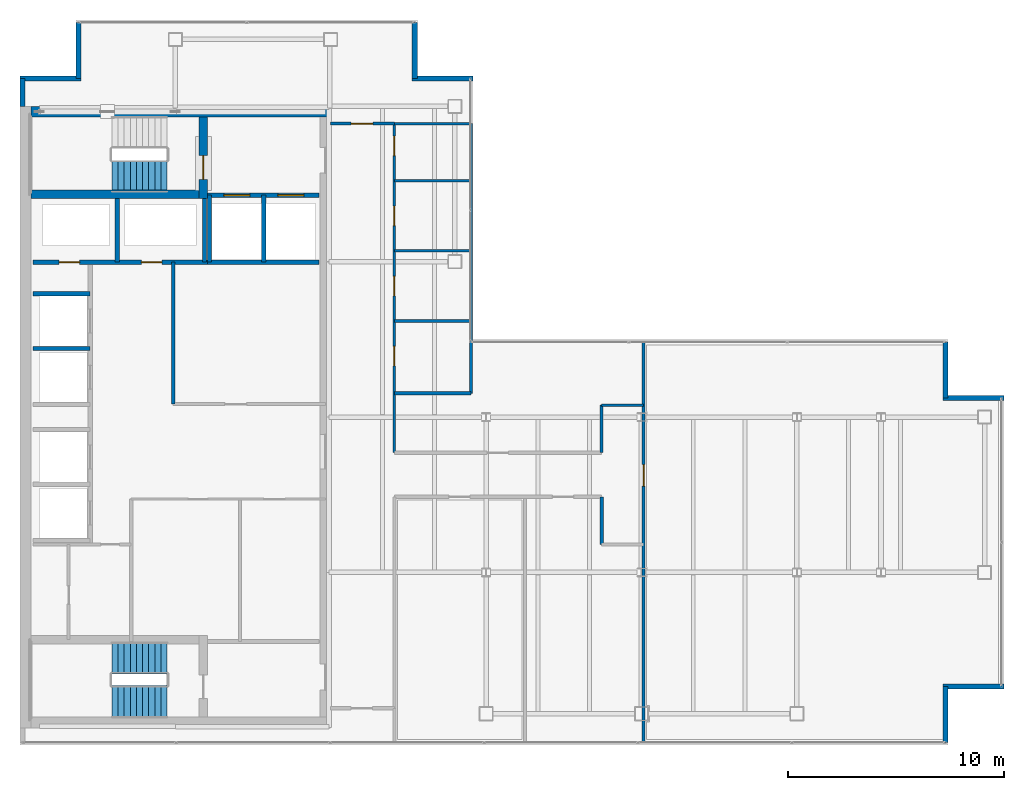
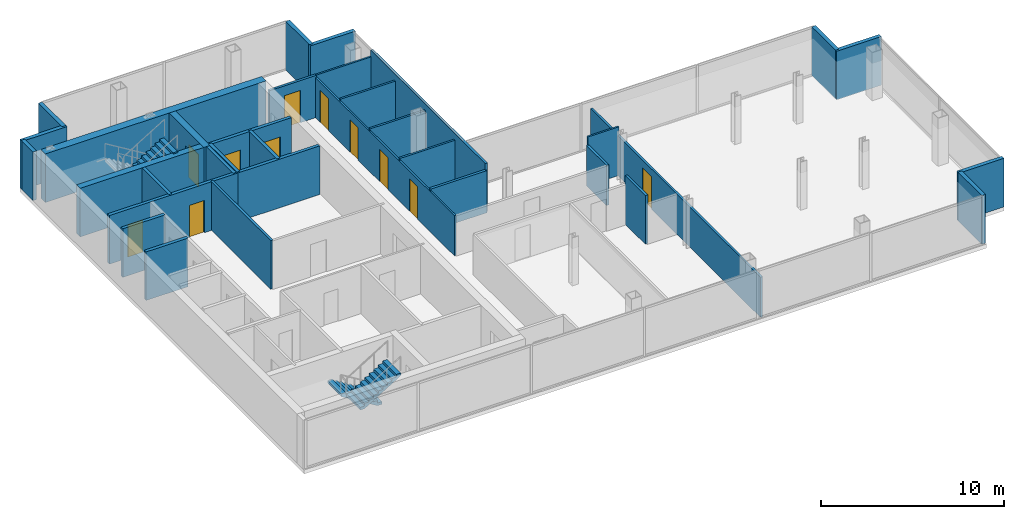
# One storey, part 21 of 23: 34 walls, 11 doors, 3 stair flights, 11 openings, 2 elements without a shape of their own.
"""IFC4 building model written with IfcOpenShell, lengths in metres."""

from ifc_helpers import new_model, si_unit, direction, frame, frame_2d, origin, place, context, subcontext, project, spatial, polyline, rectangle, outline, extrude, material, layer, layer_set, type_object, element, fill, aggregate, save


model = new_model("IFC4")

# Units and contexts
model_context = context("Model", 3, precision=1e-05, world=origin(), true_north=direction((0.0, 1.0)))
body_context = subcontext(model_context, "Body", "Model", "MODEL_VIEW")
ifc_project = project(units=[si_unit("LENGTHUNIT", "METRE"), si_unit("AREAUNIT", "SQUARE_METRE"), si_unit("VOLUMEUNIT", "CUBIC_METRE"), si_unit("PLANEANGLEUNIT", "RADIAN"), si_unit("MASSUNIT", "GRAM", prefix="KILO")], contexts=[model_context])

# Site, building, storey
site_placement = place(None, origin())
site = spatial("IfcSite", under=ifc_project, at=site_placement, CompositionType="ELEMENT")
building_placement = place(site_placement, origin())
building = spatial("IfcBuilding", under=site, at=building_placement, Name="Cobrela Telecom Tower", CompositionType="ELEMENT")
storey_placement = place(building_placement, frame((0.0, 0.0, 262.14990234375)))
storey = spatial("IfcBuildingStorey", under=building, at=storey_placement, Name="L68", CompositionType="ELEMENT", Elevation=262.14990234375)

# Walls
ifc_material_1 = material(Name="Concrete C40/50", Category="concrete")
ifc_layer_1 = layer(ifc_material_1, 0.5)
ifc_layer_set_1 = layer_set([ifc_layer_1], Name="Concrete C40/50")
wall_type_1 = type_object("IfcWallType", Name="WALL-CORE-C40-500", PredefinedType="SHEAR", material=ifc_layer_set_1)
wall_1_placement = place(storey_placement, frame((0.5, 35.75, 0.0), z_axis=(0.0, 0.0, 1.0), x_axis=(1.0, 0.0, 0.0)))
element("IfcWall", 1, at=wall_1_placement, inside=storey, type_object=wall_type_1, Name="L68 North Core Shear Wall", PredefinedType="SHEAR", context=body_context, shape_type="SweptSolid", body=[
    extrude(rectangle(XDim=13.89990234375, YDim=0.5, at=frame_2d((6.949951171875, 0.0))), origin(), (0.0, 0.0, 1.0), 3.239990234375),
])
ifc_layer_2 = layer(ifc_material_1, 0.239990234375)
ifc_layer_set_2 = layer_set([ifc_layer_2], Name="Concrete C40/50")
wall_type_2 = type_object("IfcWallType", Name="WALL-EXT-300", PredefinedType="STANDARD", material=ifc_layer_set_2)
wall_2_placement = place(storey_placement, frame((0.1201171875, 36.0, 0.0), z_axis=(0.0, 0.0, 1.0), x_axis=(0.0, 1.0, 0.0)))
element("IfcWall", 2, at=wall_2_placement, inside=storey, type_object=wall_type_2, Name="L68 Insulated Facade Wall 02", PredefinedType="STANDARD", context=body_context, shape_type="SweptSolid", body=[
    extrude(rectangle(XDim=1.2900390625, YDim=0.239990234375, at=frame_2d((0.64501953125, 0.0))), origin(), (0.0, 0.0, 1.0), 3.239990234375),
])
wall_3_placement = place(storey_placement, frame((0.0, 37.2900390625, 0.0), z_axis=(0.0, 0.0, 1.0), x_axis=(1.0, 0.0, 0.0)))
element("IfcWall", 3, at=wall_3_placement, inside=storey, type_object=wall_type_2, Name="L68 Insulated Facade Wall 03", PredefinedType="STANDARD", context=body_context, shape_type="SweptSolid", body=[
    extrude(rectangle(XDim=2.830078125, YDim=0.239990234375, at=frame_2d((1.4150390625, 0.0))), origin(), (0.0, 0.0, 1.0), 3.239990234375),
])
for number, where, z_axis, x_axis, name in (
    (4, (2.7099609375, 37.2900390625, 0.0), (0.0, 0.0, 1.0), (0.0, 1.0, 0.0), "L68 Insulated Facade Wall 04"),
    (5, (18.2900390625, 39.8798828125, 0.0), (0.0, 0.0, 1.0), (0.0, -1.0, 0.0), "L68 Insulated Facade Wall 06"),
):
    element("IfcWall", number, at=place(storey_placement, frame(where, z_axis=z_axis, x_axis=x_axis)), inside=storey, type_object=wall_type_2, Name=name, PredefinedType="STANDARD", context=body_context, shape_type="SweptSolid", body=[
        extrude(rectangle(XDim=2.58984375, YDim=0.239990234375, at=frame_2d((1.294921875, 0.0))), origin(), (0.0, 0.0, 1.0), 3.239990234375),
    ])
wall_4_placement = place(storey_placement, frame((18.169921875, 37.2900390625, 0.0), z_axis=(0.0, 0.0, 1.0), x_axis=(1.0, 0.0, 0.0)))
element("IfcWall", 6, at=wall_4_placement, inside=storey, type_object=wall_type_2, Name="L68 Insulated Facade Wall 07", PredefinedType="STANDARD", context=body_context, shape_type="SweptSolid", body=[
    extrude(rectangle(XDim=2.830078125, YDim=0.239990234375, at=frame_2d((1.4150390625, 0.0))), origin(), (0.0, 0.0, 1.0), 3.239990234375),
])
wall_5_placement = place(storey_placement, frame((42.889892578125, 25.080078125, 0.0), z_axis=(0.0, 0.0, 1.0), x_axis=(0.0, -1.0, 0.0)))
element("IfcWall", 7, at=wall_5_placement, inside=storey, type_object=wall_type_2, Name="L68 Insulated Facade Wall 10", PredefinedType="STANDARD", context=body_context, shape_type="SweptSolid", body=[
    extrude(rectangle(XDim=2.590087890625, YDim=0.239990234375, at=frame_2d((1.294921875, 0.0))), origin(), (0.0, 0.0, 1.0), 3.239990234375),
])
for number, where, z_axis, x_axis, name in (
    (8, (42.77001953125, 22.489990234375, 0.0), (0.0, 0.0, 1.0), (1.0, 0.0, 0.0), "L68 Insulated Facade Wall 11"),
    (9, (45.60009765625, 9.110107421875, 0.0), (0.0, 0.0, 1.0), (-1.0, 0.0, 0.0), "L68 Insulated Facade Wall 13"),
):
    element("IfcWall", number, at=place(storey_placement, frame(where, z_axis=z_axis, x_axis=x_axis)), inside=storey, type_object=wall_type_2, Name=name, PredefinedType="STANDARD", context=body_context, shape_type="SweptSolid", body=[
        extrude(rectangle(XDim=2.830078125, YDim=0.239990234375, at=frame_2d((1.4150390625, 0.0))), origin(), (0.0, 0.0, 1.0), 3.239990234375),
    ])
wall_6_placement = place(storey_placement, frame((42.889892578125, 9.110107421875, 0.0), z_axis=(0.0, 0.0, 1.0), x_axis=(0.0, -1.0, 0.0)))
element("IfcWall", 10, at=wall_6_placement, inside=storey, type_object=wall_type_2, Name="L68 Insulated Facade Wall 14", PredefinedType="STANDARD", context=body_context, shape_type="SweptSolid", body=[
    extrude(rectangle(XDim=2.590087890625, YDim=0.239990234375, at=frame_2d((1.294921875, 0.0))), origin(), (0.0, 0.0, 1.0), 3.239990234375),
])

# Wall, openings, doors
ifc_material_2 = material(Name="Fire-Rated Gypsum Plasterboard")
ifc_layer_3 = layer(ifc_material_2, 0.110107421875)
ifc_layer_set_3 = layer_set([ifc_layer_3], Name="Fire-Rated Gypsum Plasterboard")
wall_type_3 = type_object("IfcWallType", Name="WALL-PART-110", PredefinedType="PARTITIONING", material=ifc_layer_set_3)
wall_7_placement = place(storey_placement, frame((17.35009765625, 19.949951171875, 0.0), z_axis=(0.0, 0.0, 1.0), x_axis=(0.0, 1.0, 0.0)))
wall_7 = element("IfcWall", 11, at=wall_7_placement, inside=storey, type_object=wall_type_3, Name="L68 Interior Partition W-C-E2", PredefinedType="PARTITIONING", context=body_context, shape_type="SweptSolid", body=[
    extrude(rectangle(XDim=15.25, YDim=0.110107421875, at=frame_2d((7.625, 0.0))), origin(), (0.0, 0.0, 1.0), 2.676025390625),
])
opening_1_placement = place(wall_7_placement, frame((4.02001953125, 0.0, 0.0)))
opening_1 = element("IfcOpeningElement", 12, at=opening_1_placement, cuts=wall_7, Name="Opening DR-41", PredefinedType="OPENING", context=body_context, shape_type="SweptSolid", body=[
    extrude(rectangle(XDim=0.89990234375, YDim=2.14990234375, at=frame_2d((0.449951171875, 1.074951171875))), frame((0.0, 0.06689453125, 0.0), z_axis=(0.0, -1.0, 0.0), x_axis=(1.0, 0.0, 0.0)), (0.0, 0.0, 1.0), 0.134033203125),
])
opening_2_placement = place(wall_7_placement, frame((7.27001953125, 0.0, 0.0)))
opening_2 = element("IfcOpeningElement", 13, at=opening_2_placement, cuts=wall_7, Name="Opening DR-41", PredefinedType="OPENING", context=body_context, shape_type="SweptSolid", body=[
    extrude(rectangle(XDim=0.89990234375, YDim=2.14990234375, at=frame_2d((0.449951171875, 1.074951171875))), frame((0.0, 0.06689453125, 0.0), z_axis=(0.0, -1.0, 0.0), x_axis=(1.0, 0.0, 0.0)), (0.0, 0.0, 1.0), 0.134033203125),
])
opening_3_placement = place(wall_7_placement, frame((10.52001953125, 0.0, 0.0)))
opening_3 = element("IfcOpeningElement", 14, at=opening_3_placement, cuts=wall_7, Name="Opening DR-41", PredefinedType="OPENING", context=body_context, shape_type="SweptSolid", body=[
    extrude(rectangle(XDim=0.89990234375, YDim=2.14990234375, at=frame_2d((0.449951171875, 1.074951171875))), frame((0.0, 0.06689453125, 0.0), z_axis=(0.0, -1.0, 0.0), x_axis=(1.0, 0.0, 0.0)), (0.0, 0.0, 1.0), 0.134033203125),
])
opening_4_placement = place(wall_7_placement, frame((13.77001953125, 0.0, 0.0)))
opening_4 = element("IfcOpeningElement", 15, at=opening_4_placement, cuts=wall_7, Name="Opening DR-41", PredefinedType="OPENING", context=body_context, shape_type="SweptSolid", body=[
    extrude(rectangle(XDim=0.89990234375, YDim=2.14990234375, at=frame_2d((0.449951171875, 1.074951171875))), frame((0.0, 0.06689453125, 0.0), z_axis=(0.0, -1.0, 0.0), x_axis=(1.0, 0.0, 0.0)), (0.0, 0.0, 1.0), 0.134033203125),
])
ifc_material_3 = material(Name="Solid Engineered Oak Timber", Category="wood")
door_type_1 = type_object("IfcDoorType", Name="DOOR-INT-900", OperationType="SINGLE_SWING_LEFT", PredefinedType="DOOR", material=ifc_material_3)
door_1_placement = place(opening_1_placement, origin())
door_1 = element("IfcDoor", 16, at=door_1_placement, inside=storey, type_object=door_type_1, Name="L68 Door DR-41", OperationType="SINGLE_SWING_LEFT", OverallHeight=2.14990234375, OverallWidth=0.89990234375, PredefinedType="DOOR", context=body_context, shape_type="SweptSolid", body=[
    extrude(rectangle(XDim=0.89990234375, YDim=2.14990234375, at=frame_2d((0.449951171875, 1.074951171875))), frame((0.0, 0.02490234375, 0.0), z_axis=(0.0, -1.0, 0.0), x_axis=(1.0, 0.0, 0.0)), (0.0, 0.0, 1.0), 0.050048828125),
])
fill(opening_1, door_1)
door_2_placement = place(opening_2_placement, origin())
door_2 = element("IfcDoor", 17, at=door_2_placement, inside=storey, type_object=door_type_1, Name="L68 Door DR-41", OperationType="SINGLE_SWING_RIGHT", OverallHeight=2.14990234375, OverallWidth=0.89990234375, PredefinedType="DOOR", context=body_context, shape_type="SweptSolid", body=[
    extrude(rectangle(XDim=0.89990234375, YDim=2.14990234375, at=frame_2d((0.449951171875, 1.074951171875))), frame((0.0, 0.02490234375, 0.0), z_axis=(0.0, -1.0, 0.0), x_axis=(1.0, 0.0, 0.0)), (0.0, 0.0, 1.0), 0.050048828125),
])
fill(opening_2, door_2)
door_3_placement = place(opening_3_placement, origin())
door_3 = element("IfcDoor", 18, at=door_3_placement, inside=storey, type_object=door_type_1, Name="L68 Door DR-41", OperationType="SINGLE_SWING_LEFT", OverallHeight=2.14990234375, OverallWidth=0.89990234375, PredefinedType="DOOR", context=body_context, shape_type="SweptSolid", body=[
    extrude(rectangle(XDim=0.89990234375, YDim=2.14990234375, at=frame_2d((0.449951171875, 1.074951171875))), frame((0.0, 0.02490234375, 0.0), z_axis=(0.0, -1.0, 0.0), x_axis=(1.0, 0.0, 0.0)), (0.0, 0.0, 1.0), 0.050048828125),
])
fill(opening_3, door_3)
door_4_placement = place(opening_4_placement, origin())
door_4 = element("IfcDoor", 19, at=door_4_placement, inside=storey, type_object=door_type_1, Name="L68 Door DR-41", OperationType="SINGLE_SWING_RIGHT", OverallHeight=2.14990234375, OverallWidth=0.89990234375, PredefinedType="DOOR", context=body_context, shape_type="SweptSolid", body=[
    extrude(rectangle(XDim=0.89990234375, YDim=2.14990234375, at=frame_2d((0.449951171875, 1.074951171875))), frame((0.0, 0.02490234375, 0.0), z_axis=(0.0, -1.0, 0.0), x_axis=(1.0, 0.0, 0.0)), (0.0, 0.0, 1.0), 0.050048828125),
])
fill(opening_4, door_4)

# Walls
wall_8_placement = place(storey_placement, frame((26.949951171875, 22.14990234375, 0.0), z_axis=(0.0, 0.0, 1.0), x_axis=(1.0, 0.0, 0.0)))
element("IfcWall", 20, at=wall_8_placement, inside=storey, type_object=wall_type_3, Name="L68 Interior Partition W-CT-N", PredefinedType="PARTITIONING", context=body_context, shape_type="SweptSolid", body=[
    extrude(rectangle(XDim=1.949951171875, YDim=0.110107421875, at=frame_2d((0.97509765625, 0.0))), origin(), (0.0, 0.0, 1.0), 3.239990234375),
])
wall_9_placement = place(storey_placement, frame((17.35009765625, 35.199951171875, 0.0), z_axis=(0.0, 0.0, 1.0), x_axis=(1.0, 0.0, 0.0)))
element("IfcWall", 21, at=wall_9_placement, inside=storey, type_object=wall_type_3, Name="L68 Interior Partition W-NW-S", PredefinedType="PARTITIONING", context=body_context, shape_type="SweptSolid", body=[
    extrude(rectangle(XDim=3.52978515625, YDim=0.110107421875, at=frame_2d((1.764892578125, 0.0))), origin(), (0.0, 0.0, 1.0), 2.80810546875),
])
ifc_layer_4 = layer(ifc_material_2, 0.125)
ifc_layer_set_4 = layer_set([ifc_layer_4], Name="Fire-Rated Gypsum Plasterboard")
wall_type_4 = type_object("IfcWallType", Name="WALL-PART-125", PredefinedType="PARTITIONING", material=ifc_layer_set_4)
for number, where, z_axis, x_axis, name in (
    (22, (17.35009765625, 26.050048828125, 0.0), (0.0, 0.0, 1.0), (1.0, 0.0, 0.0), "L68 Interior Partition W-WCD-1"),
    (23, (17.35009765625, 29.300048828125, 0.0), (0.0, 0.0, 1.0), (1.0, 0.0, 0.0), "L68 Interior Partition W-WCD-2"),
    (24, (17.35009765625, 32.550048828125, 0.0), (0.0, 0.0, 1.0), (1.0, 0.0, 0.0), "L68 Interior Partition W-WCD-3"),
):
    element("IfcWall", number, at=place(storey_placement, frame(where, z_axis=z_axis, x_axis=x_axis)), inside=storey, type_object=wall_type_4, Name=name, PredefinedType="PARTITIONING", context=body_context, shape_type="SweptSolid", body=[
        extrude(rectangle(XDim=3.5498046875, YDim=0.125, at=frame_2d((1.77490234375, 0.0))), origin(), (0.0, 0.0, 1.0), 2.80810546875),
    ])

# Wall, opening, door
ifc_layer_5 = layer(ifc_material_2, 0.135009765625)
ifc_layer_set_5 = layer_set([ifc_layer_5], Name="Fire-Rated Gypsum Plasterboard")
wall_type_5 = type_object("IfcWallType", Name="WALL-PART-135", PredefinedType="PARTITIONING", material=ifc_layer_set_5)
wall_10_placement = place(storey_placement, frame((28.89990234375, 6.52001953125, 0.0), z_axis=(0.0, 0.0, 1.0), x_axis=(0.0, 1.0, 0.0)))
wall_10 = element("IfcWall", 25, at=wall_10_placement, inside=storey, type_object=wall_type_5, Name="L68 Interior Partition W-C-END", PredefinedType="PARTITIONING", context=body_context, shape_type="SweptSolid", body=[
    extrude(rectangle(XDim=18.56005859375, YDim=0.135009765625, at=frame_2d((9.280029296875, 0.0))), origin(), (0.0, 0.0, 1.0), 2.676025390625),
])
opening_5_placement = place(wall_10_placement, frame((11.8798828125, 0.0, 0.0)))
opening_5 = element("IfcOpeningElement", 26, at=opening_5_placement, cuts=wall_10, Name="Opening DR-31", PredefinedType="OPENING", context=body_context, shape_type="SweptSolid", body=[
    extrude(rectangle(XDim=1.0, YDim=2.14990234375, at=frame_2d((0.5, 1.074951171875))), frame((0.0, 0.07958984375, 0.0), z_axis=(0.0, -1.0, 0.0), x_axis=(1.0, 0.0, 0.0)), (0.0, 0.0, 1.0), 0.158935546875),
])
door_type_2 = type_object("IfcDoorType", Name="DOOR-INT-1000", OperationType="SINGLE_SWING_LEFT", PredefinedType="DOOR", material=ifc_material_3)
door_5_placement = place(opening_5_placement, origin())
door_5 = element("IfcDoor", 27, at=door_5_placement, inside=storey, type_object=door_type_2, Name="L68 Door DR-31", OperationType="SINGLE_SWING_LEFT", OverallHeight=2.14990234375, OverallWidth=1.0, PredefinedType="DOOR", context=body_context, shape_type="SweptSolid", body=[
    extrude(rectangle(XDim=1.0, YDim=2.14990234375, at=frame_2d((0.5, 1.074951171875))), frame((0.0, 0.02490234375, 0.0), z_axis=(0.0, -1.0, 0.0), x_axis=(1.0, 0.0, 0.0)), (0.0, 0.0, 1.0), 0.050048828125),
])
fill(opening_5, door_5)

# Wall
ifc_layer_6 = layer(ifc_material_2, 0.14990234375)
ifc_layer_set_6 = layer_set([ifc_layer_6], Name="Fire-Rated Gypsum Plasterboard")
wall_type_6 = type_object("IfcWallType", Name="WALL-PART-150", PredefinedType="PARTITIONING", material=ifc_layer_set_6)
wall_11_placement = place(storey_placement, frame((7.10009765625, 22.199951171875, 0.0), z_axis=(0.0, 0.0, 1.0), x_axis=(0.0, 1.0, 0.0)))
element("IfcWall", 28, at=wall_11_placement, inside=storey, type_object=wall_type_6, Name="L68 Interior Partition CW-RECL-W", PredefinedType="PARTITIONING", context=body_context, shape_type="SweptSolid", body=[
    extrude(rectangle(XDim=6.580078125, YDim=0.14990234375, at=frame_2d((3.2900390625, 0.0))), origin(), (0.0, 0.0, 1.0), 3.239990234375),
])

# Wall, opening, door
wall_12_placement = place(storey_placement, frame((14.39990234375, 35.199951171875, 0.0), z_axis=(0.0, 0.0, 1.0), x_axis=(1.0, 0.0, 0.0)))
wall_12 = element("IfcWall", 29, at=wall_12_placement, inside=storey, type_object=wall_type_6, Name="L68 Interior Partition W-C-N0", PredefinedType="PARTITIONING", context=body_context, shape_type="SweptSolid", body=[
    extrude(rectangle(XDim=2.9501953125, YDim=0.14990234375, at=frame_2d((1.47509765625, 0.0))), origin(), (0.0, 0.0, 1.0), 2.80810546875),
])
opening_6_placement = place(wall_12_placement, frame((0.949951171875, 0.0, 0.0)))
opening_6 = element("IfcOpeningElement", 30, at=opening_6_placement, cuts=wall_12, Name="Opening DR-31", PredefinedType="OPENING", context=body_context, shape_type="SweptSolid", body=[
    extrude(rectangle(XDim=1.0, YDim=2.14990234375, at=frame_2d((0.5, 1.074951171875))), frame((0.0, 0.0869140625, 0.0), z_axis=(0.0, -1.0, 0.0), x_axis=(1.0, 0.0, 0.0)), (0.0, 0.0, 1.0), 0.173828125),
])
door_6_placement = place(opening_6_placement, origin())
door_6 = element("IfcDoor", 31, at=door_6_placement, inside=storey, type_object=door_type_2, Name="L68 Door DR-31", OperationType="SINGLE_SWING_LEFT", OverallHeight=2.14990234375, OverallWidth=1.0, PredefinedType="DOOR", context=body_context, shape_type="SweptSolid", body=[
    extrude(rectangle(XDim=1.0, YDim=2.14990234375, at=frame_2d((0.5, 1.074951171875))), frame((0.0, 0.02490234375, 0.0), z_axis=(0.0, -1.0, 0.0), x_axis=(1.0, 0.0, 0.0)), (0.0, 0.0, 1.0), 0.050048828125),
])
fill(opening_6, door_6)

# Walls
wall_13_placement = place(storey_placement, frame((26.949951171875, 19.949951171875, 0.0), z_axis=(0.0, 0.0, 1.0), x_axis=(0.0, 1.0, 0.0)))
element("IfcWall", 32, at=wall_13_placement, inside=storey, type_object=wall_type_6, Name="L68 Interior Partition W-CT-JW2", PredefinedType="PARTITIONING", context=body_context, shape_type="SweptSolid", body=[
    extrude(rectangle(XDim=2.199951171875, YDim=0.14990234375, at=frame_2d((1.10009765625, 0.0))), origin(), (0.0, 0.0, 1.0), 2.676025390625),
])
wall_14_placement = place(storey_placement, frame((20.89990234375, 22.699951171875, 0.0), z_axis=(0.0, 0.0, 1.0), x_axis=(0.0, 1.0, 0.0)))
element("IfcWall", 33, at=wall_14_placement, inside=storey, type_object=wall_type_6, Name="L68 Interior Partition W-WC-E", PredefinedType="PARTITIONING", context=body_context, shape_type="SweptSolid", body=[
    extrude(rectangle(XDim=12.5, YDim=0.14990234375, at=frame_2d((6.25, 0.0))), origin(), (0.0, 0.0, 1.0), 3.239990234375),
])
ifc_layer_7 = layer(ifc_material_2, 0.159912109375)
ifc_layer_set_7 = layer_set([ifc_layer_7], Name="Fire-Rated Gypsum Plasterboard")
wall_type_7 = type_object("IfcWallType", Name="WALL-PART-160", PredefinedType="PARTITIONING", material=ifc_layer_set_7)
wall_15_placement = place(storey_placement, frame((26.949951171875, 15.699951171875, 0.0), z_axis=(0.0, 0.0, 1.0), x_axis=(0.0, 1.0, 0.0)))
element("IfcWall", 34, at=wall_15_placement, inside=storey, type_object=wall_type_7, Name="L68 Interior Partition W-CT-JW1", PredefinedType="PARTITIONING", context=body_context, shape_type="SweptSolid", body=[
    extrude(rectangle(XDim=2.199951171875, YDim=0.159912109375, at=frame_2d((1.10009765625, 0.0))), origin(), (0.0, 0.0, 1.0), 3.239990234375),
])
wall_16_placement = place(storey_placement, frame((17.35009765625, 22.699951171875, 0.0), z_axis=(0.0, 0.0, 1.0), x_axis=(1.0, 0.0, 0.0)))
element("IfcWall", 35, at=wall_16_placement, inside=storey, type_object=wall_type_7, Name="L68 Interior Partition W-WC-S", PredefinedType="PARTITIONING", context=body_context, shape_type="SweptSolid", body=[
    extrude(rectangle(XDim=3.5498046875, YDim=0.159912109375, at=frame_2d((1.77490234375, 0.0))), origin(), (0.0, 0.0, 1.0), 2.80810546875),
])

# Wall, openings, doors
ifc_layer_8 = layer(ifc_material_2, 0.199951171875)
ifc_layer_set_8 = layer_set([ifc_layer_8], Name="Fire-Rated Gypsum Plasterboard")
wall_type_8 = type_object("IfcWallType", Name="WALL-SHAFT-200", PredefinedType="PARTITIONING", material=ifc_layer_set_8)
wall_17_placement = place(storey_placement, frame((8.699951171875, 31.8798828125, 0.0), z_axis=(0.0, 0.0, 1.0), x_axis=(1.0, 0.0, 0.0)))
wall_17 = element("IfcWall", 36, at=wall_17_placement, inside=storey, type_object=wall_type_8, Name="L68 Shaft Enclosure CW-FFL-S", PredefinedType="PARTITIONING", context=body_context, shape_type="SweptSolid", body=[
    extrude(rectangle(XDim=5.150146484375, YDim=0.199951171875, at=frame_2d((2.5751953125, 0.0))), origin(), (0.0, 0.0, 1.0), 3.239990234375),
])
opening_7_placement = place(wall_17_placement, frame((0.75, 0.0, 0.0)))
opening_7 = element("IfcOpeningElement", 37, at=opening_7_placement, cuts=wall_17, Name="Opening LD-2", PredefinedType="OPENING", context=body_context, shape_type="SweptSolid", body=[
    extrude(rectangle(XDim=1.199951171875, YDim=2.199951171875, at=frame_2d((0.60009765625, 1.10009765625))), frame((0.0, 0.11181640625, 0.0), z_axis=(0.0, -1.0, 0.0), x_axis=(1.0, 0.0, 0.0)), (0.0, 0.0, 1.0), 0.223876953125),
])
opening_8_placement = place(wall_17_placement, frame((3.25, 0.0, 0.0)))
opening_8 = element("IfcOpeningElement", 38, at=opening_8_placement, cuts=wall_17, Name="Opening LD-2", PredefinedType="OPENING", context=body_context, shape_type="SweptSolid", body=[
    extrude(rectangle(XDim=1.199951171875, YDim=2.199951171875, at=frame_2d((0.60009765625, 1.10009765625))), frame((0.0, 0.11181640625, 0.0), z_axis=(0.0, -1.0, 0.0), x_axis=(1.0, 0.0, 0.0)), (0.0, 0.0, 1.0), 0.223876953125),
])
ifc_material_4 = material(Name="Steel ASTM A36", Category="steel")
door_type_3 = type_object("IfcDoorType", Name="DOOR-LD-FFL", OperationType="SINGLE_SWING_LEFT", PredefinedType="DOOR", material=ifc_material_4)
door_7_placement = place(opening_7_placement, origin())
door_7 = element("IfcDoor", 39, at=door_7_placement, inside=storey, type_object=door_type_3, Name="L68 Lift Landing Door LD-2", OperationType="DOUBLE_DOOR_SLIDING", OverallHeight=2.199951171875, OverallWidth=1.199951171875, PredefinedType="DOOR", context=body_context, shape_type="SweptSolid", body=[
    extrude(rectangle(XDim=1.199951171875, YDim=2.199951171875, at=frame_2d((0.60009765625, 1.10009765625))), frame((0.0, 0.02490234375, 0.0), z_axis=(0.0, -1.0, 0.0), x_axis=(1.0, 0.0, 0.0)), (0.0, 0.0, 1.0), 0.050048828125),
])
fill(opening_7, door_7)
door_8_placement = place(opening_8_placement, origin())
door_8 = element("IfcDoor", 40, at=door_8_placement, inside=storey, type_object=door_type_3, Name="L68 Lift Landing Door LD-2", OperationType="DOUBLE_DOOR_SLIDING", OverallHeight=2.199951171875, OverallWidth=1.199951171875, PredefinedType="DOOR", context=body_context, shape_type="SweptSolid", body=[
    extrude(rectangle(XDim=1.199951171875, YDim=2.199951171875, at=frame_2d((0.60009765625, 1.10009765625))), frame((0.0, 0.02490234375, 0.0), z_axis=(0.0, -1.0, 0.0), x_axis=(1.0, 0.0, 0.0)), (0.0, 0.0, 1.0), 0.050048828125),
])
fill(opening_8, door_8)

# Walls
wall_18_placement = place(storey_placement, frame((8.699951171875, 28.780029296875, 0.0), z_axis=(0.0, 0.0, 1.0), x_axis=(1.0, 0.0, 0.0)))
element("IfcWall", 41, at=wall_18_placement, inside=storey, type_object=wall_type_8, Name="L68 Shaft Enclosure CW-FFL-S2", PredefinedType="PARTITIONING", context=body_context, shape_type="SweptSolid", body=[
    extrude(rectangle(XDim=5.150146484375, YDim=0.199951171875, at=frame_2d((2.5751953125, 0.0))), origin(), (0.0, 0.0, 1.0), 3.239990234375),
])
for number, where, z_axis, x_axis, name in (
    (42, (8.780029296875, 28.780029296875, 0.0), (0.0, 0.0, 1.0), (0.0, 1.0, 0.0), "L68 Shaft Enclosure CW-FFL-W"),
    (43, (11.300048828125, 28.780029296875, 0.0), (0.0, 0.0, 1.0), (0.0, 1.0, 0.0), "L68 Shaft Enclosure CW-FFL-M"),
):
    element("IfcWall", number, at=place(storey_placement, frame(where, z_axis=z_axis, x_axis=x_axis)), inside=storey, type_object=wall_type_8, Name=name, PredefinedType="PARTITIONING", context=body_context, shape_type="SweptSolid", body=[
        extrude(rectangle(XDim=3.099853515625, YDim=0.199951171875, at=frame_2d((1.5498046875, 0.0))), origin(), (0.0, 0.0, 1.0), 3.239990234375),
    ])

# Wall, openings, doors
wall_19_placement = place(storey_placement, frame((0.60009765625, 28.780029296875, 0.0), z_axis=(0.0, 0.0, 1.0), x_axis=(1.0, 0.0, 0.0)))
wall_19 = element("IfcWall", 44, at=wall_19_placement, inside=storey, type_object=wall_type_8, Name="L68 Shaft Enclosure CW-RIS-S", PredefinedType="PARTITIONING", context=body_context, shape_type="SweptSolid", body=[
    extrude(rectangle(XDim=8.179931640625, YDim=0.199951171875, at=frame_2d((4.08984375, 0.0))), origin(), (0.0, 0.0, 1.0), 3.239990234375),
])
opening_9_placement = place(wall_19_placement, frame((1.2099609375, 0.0, 0.0)))
opening_9 = element("IfcOpeningElement", 45, at=opening_9_placement, cuts=wall_19, Name="Opening DR-65", PredefinedType="OPENING", context=body_context, shape_type="SweptSolid", body=[
    extrude(rectangle(XDim=0.949951171875, YDim=2.14990234375, at=frame_2d((0.47509765625, 1.074951171875))), frame((0.0, 0.11181640625, 0.0), z_axis=(0.0, -1.0, 0.0), x_axis=(1.0, 0.0, 0.0)), (0.0, 0.0, 1.0), 0.223876953125),
])
opening_10_placement = place(wall_19_placement, frame((5.030029296875, 0.0, 0.0)))
opening_10 = element("IfcOpeningElement", 46, at=opening_10_placement, cuts=wall_19, Name="Opening DR-65", PredefinedType="OPENING", context=body_context, shape_type="SweptSolid", body=[
    extrude(rectangle(XDim=0.949951171875, YDim=2.14990234375, at=frame_2d((0.47509765625, 1.074951171875))), frame((0.0, 0.11181640625, 0.0), z_axis=(0.0, -1.0, 0.0), x_axis=(1.0, 0.0, 0.0)), (0.0, 0.0, 1.0), 0.223876953125),
])
door_type_4 = type_object("IfcDoorType", Name="DOOR-FD60-950", OperationType="SINGLE_SWING_LEFT", PredefinedType="DOOR", material=ifc_material_4)
door_9_placement = place(opening_9_placement, origin())
door_9 = element("IfcDoor", 47, at=door_9_placement, inside=storey, type_object=door_type_4, Name="L68 Door DR-65", OperationType="SINGLE_SWING_LEFT", OverallHeight=2.14990234375, OverallWidth=0.949951171875, PredefinedType="DOOR", context=body_context, shape_type="SweptSolid", body=[
    extrude(rectangle(XDim=0.949951171875, YDim=2.14990234375, at=frame_2d((0.47509765625, 1.074951171875))), frame((0.0, 0.02490234375, 0.0), z_axis=(0.0, -1.0, 0.0), x_axis=(1.0, 0.0, 0.0)), (0.0, 0.0, 1.0), 0.050048828125),
])
fill(opening_9, door_9)
door_10_placement = place(opening_10_placement, origin())
door_10 = element("IfcDoor", 48, at=door_10_placement, inside=storey, type_object=door_type_4, Name="L68 Door DR-65", OperationType="SINGLE_SWING_RIGHT", OverallHeight=2.14990234375, OverallWidth=0.949951171875, PredefinedType="DOOR", context=body_context, shape_type="SweptSolid", body=[
    extrude(rectangle(XDim=0.949951171875, YDim=2.14990234375, at=frame_2d((0.47509765625, 1.074951171875))), frame((0.0, 0.02490234375, 0.0), z_axis=(0.0, -1.0, 0.0), x_axis=(1.0, 0.0, 0.0)), (0.0, 0.0, 1.0), 0.050048828125),
])
fill(opening_10, door_10)

# Walls
for number, where, z_axis, x_axis, name in (
    (49, (4.5, 28.780029296875, 0.0), (0.0, 0.0, 1.0), (0.0, 1.0, 0.0), "L68 Shaft Enclosure CW-RIS-M"),
    (50, (8.550048828125, 28.780029296875, 0.0), (0.0, 0.0, 1.0), (0.0, 1.0, 0.0), "L68 Shaft Enclosure CW-RIS-E"),
):
    element("IfcWall", number, at=place(storey_placement, frame(where, z_axis=z_axis, x_axis=x_axis)), inside=storey, type_object=wall_type_8, Name=name, PredefinedType="PARTITIONING", context=body_context, shape_type="SweptSolid", body=[
        extrude(rectangle(XDim=2.93994140625, YDim=0.199951171875, at=frame_2d((1.469970703125, 0.0))), origin(), (0.0, 0.0, 1.0), 3.239990234375),
    ])
for number, where, z_axis, x_axis, name in (
    (51, (0.60009765625, 24.780029296875, 0.0), (0.0, 0.0, 1.0), (1.0, 0.0, 0.0), "L68 Shaft Enclosure CW-PLH-D12"),
    (52, (0.60009765625, 27.320068359375, 0.0), (0.0, 0.0, 1.0), (1.0, 0.0, 0.0), "L68 Shaft Enclosure CW-PLH-TOP"),
):
    element("IfcWall", number, at=place(storey_placement, frame(where, z_axis=z_axis, x_axis=x_axis)), inside=storey, type_object=wall_type_8, Name=name, PredefinedType="PARTITIONING", context=body_context, shape_type="SweptSolid", body=[
        extrude(rectangle(XDim=2.64990234375, YDim=0.199951171875, at=frame_2d((1.324951171875, 0.0))), origin(), (0.0, 0.0, 1.0), 3.239990234375),
    ])
ifc_layer_9 = layer(ifc_material_1, 0.39990234375)
ifc_layer_set_9 = layer_set([ifc_layer_9], Name="Concrete C40/50")
wall_type_9 = type_object("IfcWallType", Name="WALL-SHAFT-C40-400", PredefinedType="SHEAR", material=ifc_layer_set_9)
wall_20_placement = place(storey_placement, frame((0.5, 31.919921875, 0.0), z_axis=(0.0, 0.0, 1.0), x_axis=(1.0, 0.0, 0.0)))
element("IfcWall", 53, at=wall_20_placement, inside=storey, type_object=wall_type_9, Name="L68 North Stair Shear Wall", PredefinedType="SHEAR", context=body_context, shape_type="SweptSolid", body=[
    extrude(rectangle(XDim=7.800048828125, YDim=0.39990234375, at=frame_2d((3.89990234375, 0.0))), origin(), (0.0, 0.0, 1.0), 3.239990234375),
])

# Wall, opening, door
wall_21_placement = place(storey_placement, frame((8.5, 31.719970703125, 0.0), z_axis=(0.0, 0.0, 1.0), x_axis=(0.0, 1.0, 0.0)))
wall_21 = element("IfcWall", 54, at=wall_21_placement, inside=storey, type_object=wall_type_9, Name="L68 North Stair Lobby Shear Wall", PredefinedType="SHEAR", context=body_context, shape_type="SweptSolid", body=[
    extrude(rectangle(XDim=3.780029296875, YDim=0.39990234375, at=frame_2d((1.89013671875, 0.0))), origin(), (0.0, 0.0, 1.0), 3.239990234375),
])
opening_11_placement = place(wall_21_placement, frame((0.89990234375, 0.0, 0.0)))
opening_11 = element("IfcOpeningElement", 55, at=opening_11_placement, cuts=wall_21, Name="Opening DR-59", PredefinedType="OPENING", context=body_context, shape_type="SweptSolid", body=[
    extrude(rectangle(XDim=1.10009765625, YDim=2.14990234375, at=frame_2d((0.550048828125, 1.074951171875))), frame((0.0, 0.2119140625, 0.0), z_axis=(0.0, -1.0, 0.0), x_axis=(1.0, 0.0, 0.0)), (0.0, 0.0, 1.0), 0.423828125),
])
door_type_5 = type_object("IfcDoorType", Name="DOOR-FD60-1100", OperationType="SINGLE_SWING_LEFT", PredefinedType="DOOR", material=ifc_material_4)
door_11_placement = place(opening_11_placement, origin())
door_11 = element("IfcDoor", 56, at=door_11_placement, inside=storey, type_object=door_type_5, Name="L68 Door DR-59", OperationType="SINGLE_SWING_RIGHT", OverallHeight=2.14990234375, OverallWidth=1.10009765625, PredefinedType="DOOR", context=body_context, shape_type="SweptSolid", body=[
    extrude(rectangle(XDim=1.10009765625, YDim=2.14990234375, at=frame_2d((0.550048828125, 1.074951171875))), frame((0.0, 0.02490234375, 0.0), z_axis=(0.0, -1.0, 0.0), x_axis=(1.0, 0.0, 0.0)), (0.0, 0.0, 1.0), 0.050048828125),
])
fill(opening_11, door_11)

# Stair, stair flight
stair_type = type_object("IfcStairType", Name="STAIR-CORE", PredefinedType="HALF_TURN_STAIR", material=ifc_material_1)
stair_1_placement = place(storey_placement, origin())
stair_1 = element("IfcStair", 57, at=stair_1_placement, inside=storey, type_object=stair_type, Name="L68 Smokeproof Exit Stair ST1", PredefinedType="HALF_TURN_STAIR")
stair_flight_type = type_object("IfcStairFlightType", Name="FLIGHT-CORE", PredefinedType="STRAIGHT", material=ifc_material_1)
stair_flight_1_placement = place(storey_placement, frame((4.2548828125, 32.75, 1.75), z_axis=(0.0, 0.0, 1.0), x_axis=(1.0, 0.0, 0.0)))
stair_flight_1 = element("IfcStairFlight", 58, at=stair_flight_1_placement, type_object=stair_flight_type, Name="ST1 flight 2", NumberOfRisers=10, NumberOfTreads=9, PredefinedType="STRAIGHT", RiserHeight=0.175, TreadLength=0.285, context=body_context, shape_type="SweptSolid", body=[
    extrude(outline(polyline([(0.0, 0.0), (0.0, 0.175048828125), (0.284912109375, 0.175048828125), (0.284912109375, 0.35009765625), (0.570068359375, 0.35009765625), (0.570068359375, 0.52490234375), (0.85498046875, 0.52490234375), (0.85498046875, 0.699951171875), (1.139892578125, 0.699951171875), (1.139892578125, 0.875), (1.425048828125, 0.875), (1.425048828125, 1.050048828125), (1.7099609375, 1.050048828125), (1.7099609375, 1.22509765625), (1.9951171875, 1.22509765625), (1.9951171875, 1.39990234375), (2.280029296875, 1.39990234375), (2.280029296875, 1.574951171875), (2.56494140625, 1.574951171875), (2.56494140625, 1.75), (2.56494140625, 1.399169921875), (0.286376953125, 0.0), (0.0, 0.0)])), frame((0.0, 0.75, 0.0), z_axis=(0.0, -1.0, 0.0), x_axis=(1.0, 0.0, 0.0)), (0.0, 0.0, 1.0), 1.5),
])
aggregate(stair_1, [stair_flight_1])

# Stair, stair flights
stair_2_placement = place(storey_placement, origin())
stair_2 = element("IfcStair", 59, at=stair_2_placement, inside=storey, type_object=stair_type, Name="L68 Smokeproof Exit Stair ST2", PredefinedType="HALF_TURN_STAIR")
stair_flight_2_placement = place(storey_placement, frame((6.820068359375, 10.449951171875, 0.0), z_axis=(0.0, 0.0, 1.0), x_axis=(-1.0, 0.0, 0.0)))
stair_flight_2 = element("IfcStairFlight", 60, at=stair_flight_2_placement, type_object=stair_flight_type, Name="ST2 flight 1", NumberOfRisers=10, NumberOfTreads=9, PredefinedType="STRAIGHT", RiserHeight=0.175, TreadLength=0.285, context=body_context, shape_type="SweptSolid", body=[
    extrude(outline(polyline([(0.0, 0.0), (0.0, 0.175048828125), (0.284912109375, 0.175048828125), (0.284912109375, 0.35009765625), (0.570068359375, 0.35009765625), (0.570068359375, 0.52490234375), (0.85498046875, 0.52490234375), (0.85498046875, 0.699951171875), (1.139892578125, 0.699951171875), (1.139892578125, 0.875), (1.425048828125, 0.875), (1.425048828125, 1.050048828125), (1.7099609375, 1.050048828125), (1.7099609375, 1.22509765625), (1.9951171875, 1.22509765625), (1.9951171875, 1.39990234375), (2.280029296875, 1.39990234375), (2.280029296875, 1.574951171875), (2.56494140625, 1.574951171875), (2.56494140625, 1.75), (2.56494140625, 1.399169921875), (0.286376953125, 0.0), (0.0, 0.0)])), frame((0.0, 0.75, 0.0), z_axis=(0.0, -1.0, 0.0), x_axis=(1.0, 0.0, 0.0)), (0.0, 0.0, 1.0), 1.5),
])
stair_flight_3_placement = place(storey_placement, frame((4.2548828125, 8.39990234375, 1.75), z_axis=(0.0, 0.0, 1.0), x_axis=(1.0, 0.0, 0.0)))
stair_flight_3 = element("IfcStairFlight", 61, at=stair_flight_3_placement, type_object=stair_flight_type, Name="ST2 flight 2", NumberOfRisers=10, NumberOfTreads=9, PredefinedType="STRAIGHT", RiserHeight=0.175, TreadLength=0.285, context=body_context, shape_type="SweptSolid", body=[
    extrude(outline(polyline([(0.0, 0.0), (0.0, 0.175048828125), (0.284912109375, 0.175048828125), (0.284912109375, 0.35009765625), (0.570068359375, 0.35009765625), (0.570068359375, 0.52490234375), (0.85498046875, 0.52490234375), (0.85498046875, 0.699951171875), (1.139892578125, 0.699951171875), (1.139892578125, 0.875), (1.425048828125, 0.875), (1.425048828125, 1.050048828125), (1.7099609375, 1.050048828125), (1.7099609375, 1.22509765625), (1.9951171875, 1.22509765625), (1.9951171875, 1.39990234375), (2.280029296875, 1.39990234375), (2.280029296875, 1.574951171875), (2.56494140625, 1.574951171875), (2.56494140625, 1.75), (2.56494140625, 1.399169921875), (0.286376953125, 0.0), (0.0, 0.0)])), frame((0.0, 0.75, 0.0), z_axis=(0.0, -1.0, 0.0), x_axis=(1.0, 0.0, 0.0)), (0.0, 0.0, 1.0), 1.5),
])
aggregate(stair_2, [stair_flight_2, stair_flight_3])

save(model, "model.ifc")
